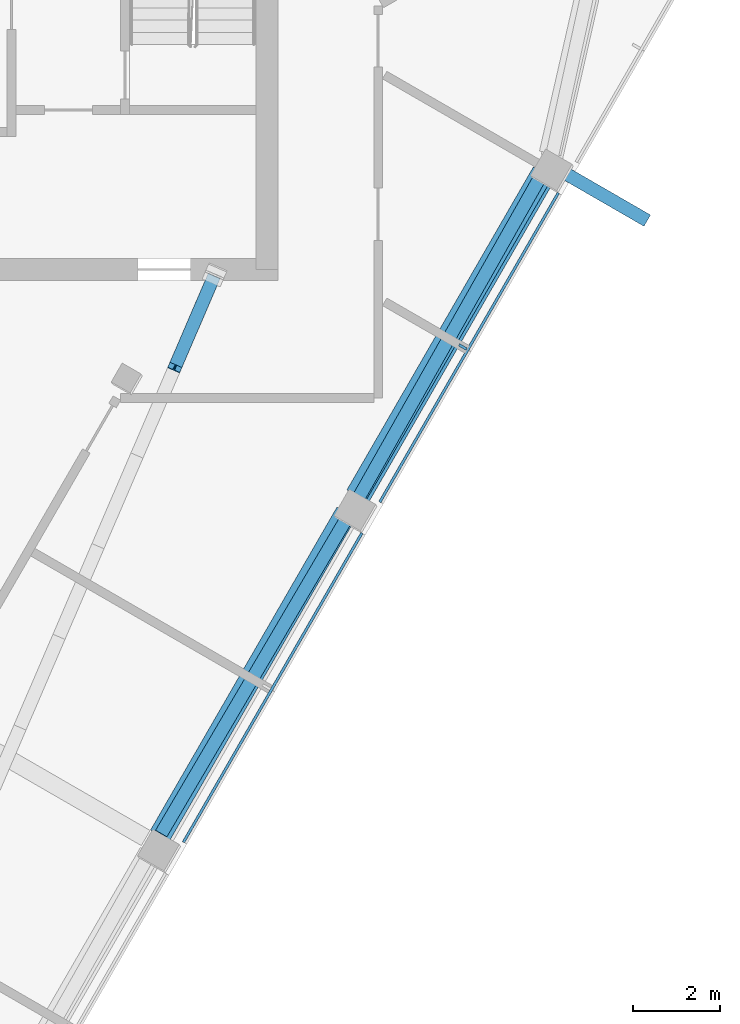
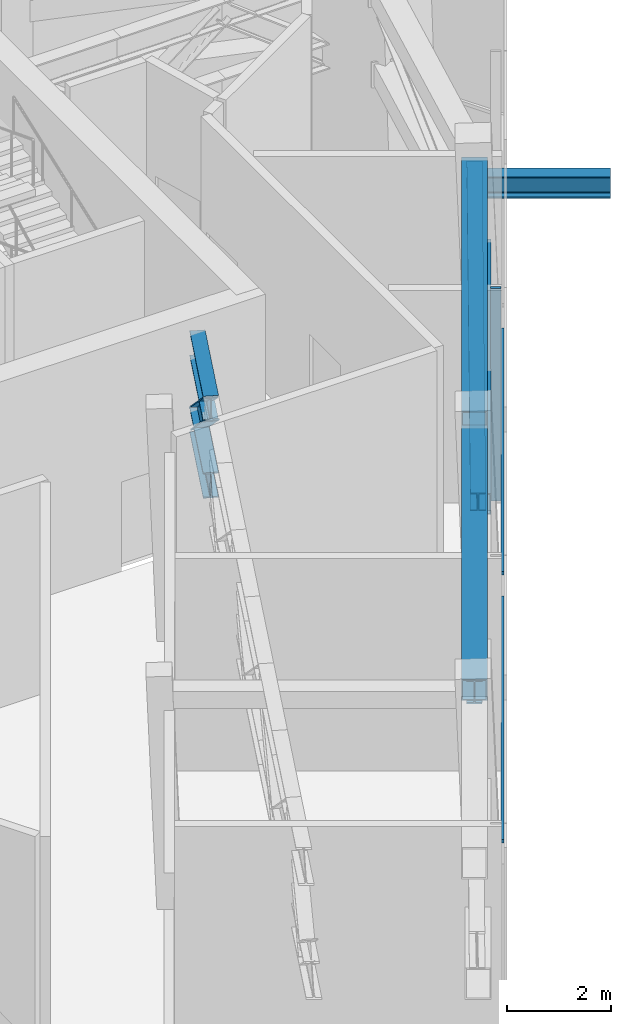
# One storey, part 4 of 13: 12 members, 1 element without a shape of its own.
"""IFC4 building model written with IfcOpenShell, lengths in metres."""

from ifc_helpers import new_model, si_unit, direction, frame, origin, origin_2d, place, context, subcontext, project, spatial, rectangle, hollow_rectangle, i_section, extrude, material, layer, layer_set, material_profile, profile_set, type_object, element, aggregate, save


model = new_model("IFC4")

# Units and contexts
model_context = context("Model", 3, precision=1e-05, world=origin(), true_north=direction((0.0, 1.0)))
body_context = subcontext(model_context, "Body", "Model", "MODEL_VIEW")
ifc_project = project(units=[si_unit("LENGTHUNIT", "METRE"), si_unit("AREAUNIT", "SQUARE_METRE"), si_unit("VOLUMEUNIT", "CUBIC_METRE"), si_unit("PLANEANGLEUNIT", "RADIAN"), si_unit("MASSUNIT", "GRAM", prefix="KILO")], contexts=[model_context])

# Site, building, storey
site_placement = place(None, origin())
site = spatial("IfcSite", under=ifc_project, at=site_placement, CompositionType="ELEMENT")
building_placement = place(site_placement, origin())
building = spatial("IfcBuilding", under=site, at=building_placement, Name="Altiplano Prism Tower", CompositionType="ELEMENT")
storey_placement = place(building_placement, frame((0.0, 0.0, 286.0)))
storey = spatial("IfcBuildingStorey", under=building, at=storey_placement, Name="L74", CompositionType="ELEMENT", Elevation=286.0)

# Members
ifc_material_1 = material(Name="Steel S355", Category="steel")
ifc_material_profile_1 = material_profile(ifc_material_1, hollow_rectangle(XDim=0.5, YDim=0.5, WallThickness=0.02490234375, at=origin_2d()), Name="Belt chord Box 500x500x25")
ifc_profile_set_1 = profile_set([ifc_material_profile_1], Name="Steel S355")
member_type_1 = type_object("IfcMemberType", Name="Belt chord Box 500x500x25", PredefinedType="CHORD", material=ifc_profile_set_1)
for number, where, z_axis, x_axis, name in (
    (1, (94.801513671875, 80.177490234375, 4.75), (0.500007039007, 0.866021339774, 0.0), (-0.866021339774, 0.500007039007, 0.0), "Belt truss R3 chord t12"),
    (2, (99.34375, 87.898681640625, 2.85009765625), (0.500007039007, 0.866021339774, 0.0), (-0.866021339774, 0.500007039007, 0.0), "Belt truss R3 chord b13"),
    (3, (99.301513671875, 87.9716796875, 4.75), (0.499994660107, 0.866028486751, 0.0), (-0.866028486751, 0.499994660107, 0.0), "Belt truss R3 chord t13"),
):
    element("IfcMember", number, at=place(storey_placement, frame(where, z_axis=z_axis, x_axis=x_axis)), inside=storey, type_object=member_type_1, Name=name, PredefinedType="CHORD", context=body_context, shape_type="SweptSolid", body=[
        extrude(hollow_rectangle(XDim=0.5, YDim=0.5, WallThickness=0.02490234375, at=origin_2d()), origin(), (0.0, 0.0, 1.0), 8.5400390625),
    ])
ifc_material_profile_2 = material_profile(ifc_material_1, i_section(OverallWidth=0.300048828125, OverallDepth=0.5, WebThickness=0.014404296875, FlangeThickness=0.028076171875, FilletRadius=0.027099609375, at=origin_2d()), Name="Belt diagonal HEB 500")
ifc_profile_set_2 = profile_set([ifc_material_profile_2], Name="Steel S355")
member_type_2 = type_object("IfcMemberType", Name="Belt diagonal HEB 500", PredefinedType="BRACE", material=ifc_profile_set_2)
member_1_placement = place(storey_placement, frame((94.802978515625, 80.176513671875, 4.701171875), z_axis=(0.496023126527, 0.843155005215, -0.207486614343), x_axis=(-0.86191205869, 0.507057790676, 0.0)))
element("IfcMember", 4, at=member_1_placement, inside=storey, type_object=member_type_2, Name="Belt truss R3 diagonal 12", PredefinedType="BRACE", context=body_context, shape_type="SweptSolid", body=[
    extrude(i_section(OverallWidth=0.300048828125, OverallDepth=0.5, WebThickness=0.014404296875, FlangeThickness=0.028076171875, FilletRadius=0.027099609375, at=origin_2d()), origin(), (0.0, 0.0, 1.0), 8.687255859375),
])
member_2_placement = place(storey_placement, frame((99.342041015625, 87.8994140625, 2.8984375), z_axis=(0.482435058696, 0.851457513288, 0.205612541462), x_axis=(-0.870047400873, 0.492968072227, 0.0)))
element("IfcMember", 5, at=member_2_placement, inside=storey, type_object=member_type_2, Name="Belt truss R3 diagonal 13", PredefinedType="BRACE", context=body_context, shape_type="SweptSolid", body=[
    extrude(i_section(OverallWidth=0.300048828125, OverallDepth=0.5, WebThickness=0.014404296875, FlangeThickness=0.028076171875, FilletRadius=0.027099609375, at=origin_2d()), origin(), (0.0, 0.0, 1.0), 8.77001953125),
])
ifc_material_profile_3 = material_profile(ifc_material_1, i_section(OverallWidth=0.300048828125, OverallDepth=0.5, WebThickness=0.014404296875, FlangeThickness=0.028076171875, FilletRadius=0.027099609375, at=origin_2d()), Name="Brace bracket HEB 500")
ifc_profile_set_3 = profile_set([ifc_material_profile_3], Name="Steel S355")
member_type_3 = type_object("IfcMemberType", Name="Brace bracket HEB 500", PredefinedType="STRUT", material=ifc_profile_set_3)
member_3_placement = place(storey_placement, frame((103.672119140625, 95.591796875, 4.216796875), z_axis=(0.866029095148, -0.499993606316, 0.0), x_axis=(0.499993606316, 0.866029095148, 0.0)))
element("IfcMember", 6, at=member_3_placement, inside=storey, type_object=member_type_3, Name="Brace bracket 2.291.4", PredefinedType="STRUT", context=body_context, shape_type="SweptSolid", body=[
    extrude(i_section(OverallWidth=0.300048828125, OverallDepth=0.5, WebThickness=0.014404296875, FlangeThickness=0.028076171875, FilletRadius=0.027099609375, at=origin_2d()), origin(), (0.0, 0.0, 1.0), 2.64990234375),
])

# Curtain wall, members
ifc_material_2 = material(Name="Aluminium and glass", Category="aluminium")
ifc_layer = layer(ifc_material_2, 0.320068359375)
ifc_layer_set = layer_set([ifc_layer], Name="Aluminium and glass")
curtain_wall_type = type_object("IfcCurtainWallType", Name="CW6 louvred plant-floor curtain wall", PredefinedType="NOTDEFINED", material=ifc_layer_set)
curtain_wall_placement = place(storey_placement, origin())
curtain_wall = element("IfcCurtainWall", 7, at=curtain_wall_placement, inside=storey, type_object=curtain_wall_type, Name="CW6 curtain wall south-east face L74", PredefinedType="NOTDEFINED")
ifc_material_3 = material(Name="Aluminium", Category="aluminium")
ifc_material_profile_4 = material_profile(ifc_material_3, rectangle(XDim=0.199951171875, YDim=0.06005859375, at=origin_2d()), Name="CW6 mullion 60 x 200")
ifc_profile_set_4 = profile_set([ifc_material_profile_4], Name="Aluminium")
member_type_4 = type_object("IfcMemberType", Name="CW6 mullion 60 x 200", PredefinedType="MULLION", material=ifc_profile_set_4)
member_4_placement = place(storey_placement, frame((101.7412109375, 91.371826171875, 0.0), z_axis=(0.0, 0.0, 1.0), x_axis=(-0.866025406813, 0.499999994755, 0.0)))
member_4 = element("IfcMember", 8, at=member_4_placement, type_object=member_type_4, Name="CW6 mullion", PredefinedType="MULLION", context=body_context, shape_type="SweptSolid", body=[
    extrude(rectangle(XDim=0.199951171875, YDim=0.06005859375, at=origin_2d()), origin(), (0.0, 0.0, 1.0), 5.0),
])
ifc_material_profile_5 = material_profile(ifc_material_3, rectangle(XDim=0.06005859375, YDim=0.080078125, at=origin_2d()), Name="CW6 transom 80 x 60")
ifc_profile_set_5 = profile_set([ifc_material_profile_5], Name="Aluminium")
member_type_5 = type_object("IfcMemberType", Name="CW6 transom 80 x 60", PredefinedType="USERDEFINED", material=ifc_profile_set_5)
member_5_placement = place(storey_placement, frame((95.3388671875, 80.0224609375, 1.10009765625), z_axis=(0.499978225157, 0.866037975131, 0.0), x_axis=(-0.866037975131, 0.499978225157, 0.0)))
member_5 = element("IfcMember", 9, at=member_5_placement, type_object=member_type_5, Name="CW6 transom", ObjectType="TRANSOM", PredefinedType="USERDEFINED", context=body_context, shape_type="SweptSolid", body=[
    extrude(rectangle(XDim=0.06005859375, YDim=0.080078125, at=origin_2d()), origin(), (0.0, 0.0, 1.0), 8.179931640625),
])
member_6_placement = place(storey_placement, frame((99.8388671875, 87.81689453125, 1.10009765625), z_axis=(0.499991148707, 0.866030514021, 0.0), x_axis=(-0.866030514021, 0.499991148707, 0.0)))
member_6 = element("IfcMember", 10, at=member_6_placement, type_object=member_type_5, Name="CW6 transom", ObjectType="TRANSOM", PredefinedType="USERDEFINED", context=body_context, shape_type="SweptSolid", body=[
    extrude(rectangle(XDim=0.06005859375, YDim=0.080078125, at=origin_2d()), origin(), (0.0, 0.0, 1.0), 8.179931640625),
])
aggregate(curtain_wall, [member_5, member_4, member_6])

# Members
ifc_material_profile_6 = material_profile(ifc_material_1, i_section(OverallWidth=0.300048828125, OverallDepth=0.60009765625, WebThickness=0.015380859375, FlangeThickness=0.030029296875, FilletRadius=0.027099609375, at=origin_2d()), Name="Outrigger chord HEB 600")
ifc_profile_set_6 = profile_set([ifc_material_profile_6], Name="Steel S355")
member_type_6 = type_object("IfcMemberType", Name="Outrigger chord HEB 600", PredefinedType="CHORD", material=ifc_profile_set_6)
for number, where, z_axis, x_axis, name in (
    (11, (95.166015625, 90.960693359375, 2.89990234375), (0.395073208549, 0.918649639355, 0.0), (-0.918649639355, 0.395073208549, 0.0), "Outrigger truss R3 4 chord b12"),
    (12, (95.166015625, 90.960693359375, 4.699951171875), (0.395073208549, 0.918649639355, 0.0), (-0.918649639355, 0.395073208549, 0.0), "Outrigger truss R3 4 chord t12"),
):
    element("IfcMember", number, at=place(storey_placement, frame(where, z_axis=z_axis, x_axis=x_axis)), inside=storey, type_object=member_type_6, Name=name, PredefinedType="CHORD", context=body_context, shape_type="SweptSolid", body=[
        extrude(i_section(OverallWidth=0.300048828125, OverallDepth=0.60009765625, WebThickness=0.015380859375, FlangeThickness=0.030029296875, FilletRadius=0.027099609375, at=origin_2d()), origin(), (0.0, 0.0, 1.0), 2.220947265625),
    ])
ifc_material_profile_7 = material_profile(ifc_material_1, i_section(OverallWidth=0.300048828125, OverallDepth=0.449951171875, WebThickness=0.013916015625, FlangeThickness=0.02587890625, FilletRadius=0.027099609375, at=origin_2d()), Name="Outrigger diagonal HEB 450")
ifc_profile_set_7 = profile_set([ifc_material_profile_7], Name="Steel S355")
member_type_7 = type_object("IfcMemberType", Name="Outrigger diagonal HEB 450", PredefinedType="BRACE", material=ifc_profile_set_7)
member_7_placement = place(storey_placement, frame((95.166015625, 90.960693359375, 4.699951171875), z_axis=(0.309068624968, 0.7187044799, -0.622848661901), x_axis=(-0.918657266522, 0.395055472898, 0.0)))
element("IfcMember", 13, at=member_7_placement, inside=storey, type_object=member_type_7, Name="Outrigger truss R3 4 diagonal 12", PredefinedType="BRACE", context=body_context, shape_type="SweptSolid", body=[
    extrude(i_section(OverallWidth=0.300048828125, OverallDepth=0.449951171875, WebThickness=0.013916015625, FlangeThickness=0.02587890625, FilletRadius=0.027099609375, at=origin_2d()), origin(), (0.0, 0.0, 1.0), 2.85009765625),
])

save(model, "model.ifc")
